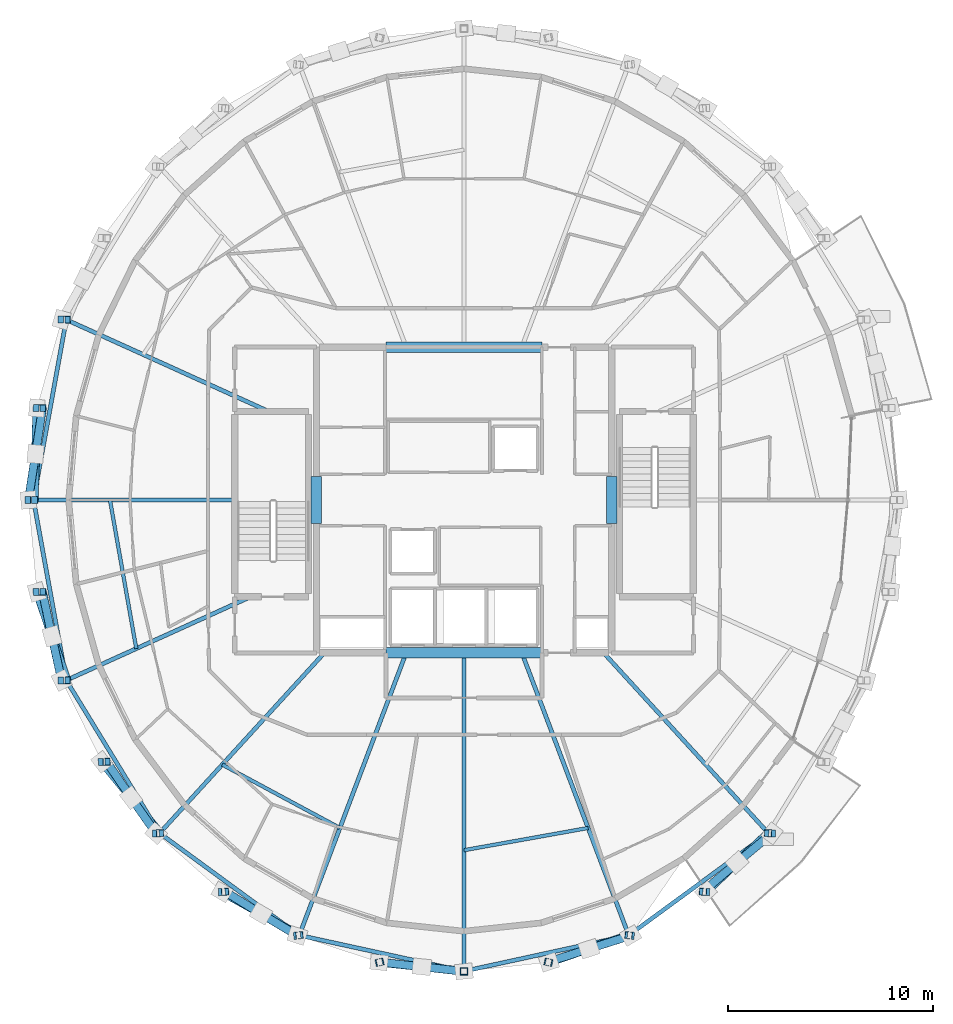
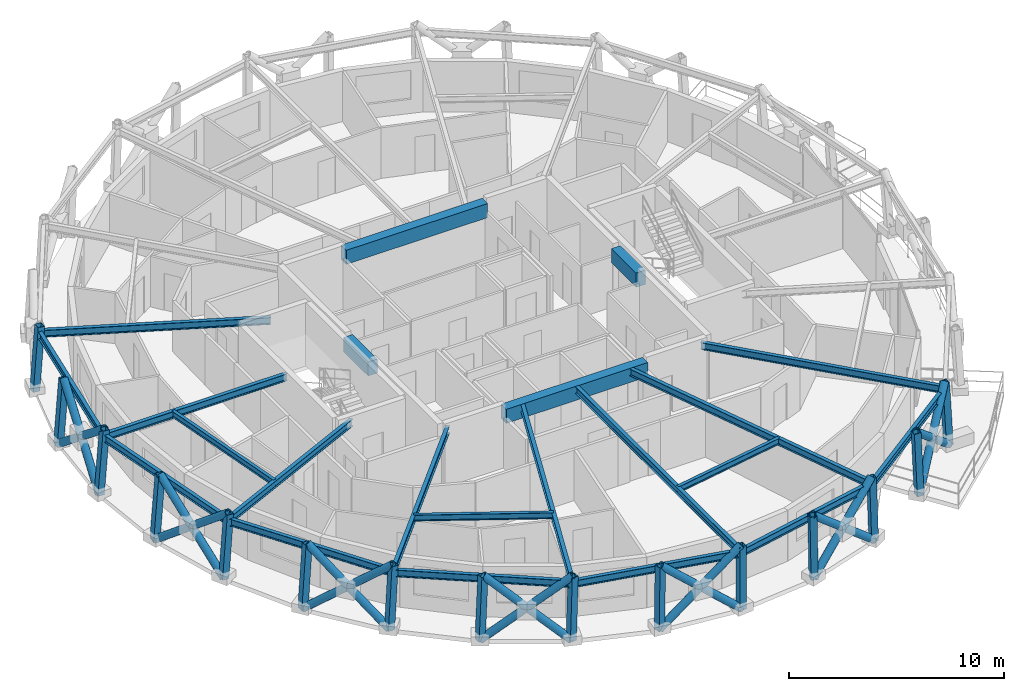
# One storey, part 1 of 12: 36 members, 22 beams.
"""IFC4 building model written with IfcOpenShell, lengths in metres."""

import ifcopenshell
import ifcopenshell.guid

model = None  # the IFC model being written
_history = None  # IfcOwnerHistory: only IFC2X3 demands one
_inside = {}  # id of a spatial element -> (the spatial element, [elements in it])
_under = {}  # id of a project, library or spatial element -> (it, [spatial elements below it])
_declared = {}  # id of a project -> (the project, [libraries it declares])
_typed = {}  # id of a type object -> (the type object, [elements of that type])
_made_of = {}  # id of a material, layer set ... -> (it, [elements and type objects made of it])


def new_model(schema):
    """Start an empty IFC model of exactly this schema.

    Asked for "IFC4X3", IfcOpenShell would pick the latest addendum, in which some entities
    have other attributes; the version numbers below select the first issue.
    IFC2X3 requires an IfcOwnerHistory on every rooted entity: one is made here for all.
    """
    global model, _history
    if schema == "IFC4X3":
        model = ifcopenshell.file(schema_version=(4, 3, 0, 0))
    else:
        model = ifcopenshell.file(schema=schema)
    _inside.clear()
    _under.clear()
    _declared.clear()
    _typed.clear()
    _made_of.clear()
    _history = None
    if model.schema == "IFC2X3":
        org = make("IfcOrganization", Name="unknown")
        user = make(
            "IfcPersonAndOrganization",
            ThePerson=make("IfcPerson", FamilyName="unknown"),
            TheOrganization=org,
        )
        app = make(
            "IfcApplication",
            ApplicationDeveloper=org,
            Version="unknown",
            ApplicationFullName="unknown",
            ApplicationIdentifier="unknown",
        )
        _history = make(
            "IfcOwnerHistory",
            OwningUser=user,
            OwningApplication=app,
            ChangeAction="ADDED",
            CreationDate=0,
        )
    return model


def make(cls, **values):
    """One entity of the class cls with the attributes given. An attribute that is None is left unset."""
    return model.create_entity(
        cls, **{name: value for name, value in values.items() if value is not None}
    )


def rooted(cls, **values):
    """An entity with a GlobalId (a new one), such as an element, a storey or a relation."""
    return make(cls, GlobalId=ifcopenshell.guid.new(), OwnerHistory=_history, **values)


def si_unit(unit_type, name, prefix=None):
    """IfcSIUnit, for example si_unit("LENGTHUNIT", "METRE", prefix="MILLI")."""
    return make("IfcSIUnit", UnitType=unit_type, Prefix=prefix, Name=name)


def assignment(units):
    """IfcUnitAssignment: the units of a project."""
    return None if units is None else make("IfcUnitAssignment", Units=units)


def point(xyz):
    """IfcCartesianPoint."""
    return None if xyz is None else make("IfcCartesianPoint", Coordinates=xyz)


def direction(xyz):
    """IfcDirection."""
    return None if xyz is None else make("IfcDirection", DirectionRatios=xyz)


def frame(location, z_axis=None, x_axis=None):
    """IfcAxis2Placement3D, a coordinate frame: its origin and axes. An axis left out is left unset."""
    return make(
        "IfcAxis2Placement3D",
        Location=point(location),
        Axis=direction(z_axis),
        RefDirection=direction(x_axis),
    )


def frame_2d(location, x_axis=None):
    """IfcAxis2Placement2D, a coordinate frame in the plane: its origin and x axis."""
    return make(
        "IfcAxis2Placement2D", Location=point(location), RefDirection=direction(x_axis)
    )


def origin():
    """The frame at (0, 0, 0) with its axes left unset."""
    return frame((0.0, 0.0, 0.0))


def origin_2d():
    """The frame at (0, 0) in the plane with its x axis left unset."""
    return frame_2d((0.0, 0.0))


def place(relative_to, where):
    """IfcLocalPlacement: puts the frame where relative to a parent placement (None: the world)."""
    return make(
        "IfcLocalPlacement", PlacementRelTo=relative_to, RelativePlacement=where
    )


def context(
    kind, dimensions, precision=None, world=None, true_north=None, identifier=None
):
    """IfcGeometricRepresentationContext, for example the 3D "Model" context."""
    return make(
        "IfcGeometricRepresentationContext",
        ContextIdentifier=identifier,
        ContextType=kind,
        CoordinateSpaceDimension=dimensions,
        Precision=precision,
        WorldCoordinateSystem=world,
        TrueNorth=true_north,
    )


def subcontext(parent, identifier, kind, view, scale=None):
    """IfcGeometricRepresentationSubContext, for example "Body" below "Model"."""
    return make(
        "IfcGeometricRepresentationSubContext",
        ContextIdentifier=identifier,
        ContextType=kind,
        ParentContext=parent,
        TargetScale=scale,
        TargetView=view,
    )


def project(units=None, contexts=None):
    """IfcProject with its units and contexts."""
    return rooted(
        "IfcProject",
        Name="project",
        RepresentationContexts=contexts,
        UnitsInContext=assignment(units),
    )


def spatial(cls, under=None, at=None, **own):
    """A site, building, storey or space (cls), placed at a placement, below another one or the project."""
    s = rooted(cls, ObjectPlacement=at, **own)
    if under is not None:
        _under.setdefault(under.id(), (under, []))[1].append(s)
    return s


def profile(cls, at=None, kind="AREA", **sizes):
    """A parametric profile (cls). Its sizes go by their IFC names, for example OverallWidth=200.0."""
    return make(cls, ProfileType=kind, Position=at, **sizes)


def rectangle(**sizes):
    """IfcRectangleProfileDef."""
    return profile("IfcRectangleProfileDef", **sizes)


def hollow_rectangle(**sizes):
    """IfcRectangleHollowProfileDef."""
    return profile("IfcRectangleHollowProfileDef", **sizes)


def hollow_circle(**sizes):
    """IfcCircleHollowProfileDef."""
    return profile("IfcCircleHollowProfileDef", **sizes)


def i_section(**sizes):
    """IfcIShapeProfileDef."""
    return profile("IfcIShapeProfileDef", **sizes)


def extrude(swept, where, along, depth):
    """IfcExtrudedAreaSolid: the profile swept, set in the frame where, extruded along a direction by depth."""
    return make(
        "IfcExtrudedAreaSolid",
        SweptArea=swept,
        Position=where,
        ExtrudedDirection=direction(along),
        Depth=depth,
    )


def shape(context_of_items, identifier, shape_type, items):
    """IfcShapeRepresentation: the items that make up one representation, for example the "Body"."""
    return make(
        "IfcShapeRepresentation",
        ContextOfItems=context_of_items,
        RepresentationIdentifier=identifier,
        RepresentationType=shape_type,
        Items=items,
    )


def material(Name=None, Category=None):
    """IfcMaterial."""
    return make("IfcMaterial", Name=Name, Category=Category)


def material_profile(
    of_material, cross_section, Name=None, Category=None, Priority=None
):
    """IfcMaterialProfile: a cross section and its material."""
    return make(
        "IfcMaterialProfile",
        Name=Name,
        Material=of_material,
        Profile=cross_section,
        Priority=Priority,
        Category=Category,
    )


def profile_set(profiles, Name=None, composite=None):
    """IfcMaterialProfileSet."""
    return make(
        "IfcMaterialProfileSet",
        Name=Name,
        MaterialProfiles=profiles,
        CompositeProfile=composite,
    )


def made_of(thing, what):
    """Note that an element or type object is made of a material, layer set ...; save() writes the relation."""
    if what is not None:
        _made_of.setdefault(what.id(), (what, []))[1].append(thing)
    return thing


def type_object(cls, material=None, **own):
    """A type object (cls), such as IfcWallType, which elements share."""
    return made_of(rooted(cls, **own), material)


def element(
    cls,
    number,
    at=None,
    inside=None,
    cuts=None,
    type_object=None,
    material=None,
    context=None,
    identifier="Body",
    shape_type=None,
    held_by="IfcProductDefinitionShape",
    body=None,
    shapes=None,
    **own,
):
    """One element of the class cls, such as IfcWall. Its Tag is "e" and its number.

    at: its placement. inside: the storey or other place that contains it. cuts: it is an
    opening in that element (IfcRelVoidsElement). A single representation is given by context,
    identifier, shape_type and body (its items); several are given by shapes. held_by: the class
    of the entity that holds the representations. save() writes the other relations.
    """
    e = rooted(cls, Tag="e%d" % number, ObjectPlacement=at, **own)
    if body is not None:
        shapes = [shape(context, identifier, shape_type, body)]
    if shapes is not None:
        e.Representation = make(held_by, Representations=shapes)
    if inside is not None:
        _inside.setdefault(inside.id(), (inside, []))[1].append(e)
    if cuts is not None:
        rooted(
            "IfcRelVoidsElement", RelatingBuildingElement=cuts, RelatedOpeningElement=e
        )
    if type_object is not None:
        _typed.setdefault(type_object.id(), (type_object, []))[1].append(e)
    return made_of(e, material)


def aggregate(whole, parts):
    """IfcRelAggregates: a whole, such as a stair, and the parts it consists of."""
    return rooted("IfcRelAggregates", RelatingObject=whole, RelatedObjects=parts)


def save(model, path):
    """Write the relations noted so far, then the file.

    IfcRelAggregates (storeys below a building ...), IfcRelContainedInSpatialStructure (elements
    in a storey), IfcRelDefinesByType, IfcRelAssociatesMaterial and IfcRelDeclares: one each for
    every whole, place, type object, material and project.
    """
    for whole, parts in _under.values():
        aggregate(whole, parts)
    for where, things in _inside.values():
        rooted(
            "IfcRelContainedInSpatialStructure",
            RelatedElements=things,
            RelatingStructure=where,
        )
    for kind, things in _typed.values():
        rooted("IfcRelDefinesByType", RelatedObjects=things, RelatingType=kind)
    for what, things in _made_of.values():
        rooted("IfcRelAssociatesMaterial", RelatedObjects=things, RelatingMaterial=what)
    for by, libraries in _declared.values():
        rooted("IfcRelDeclares", RelatingContext=by, RelatedDefinitions=libraries)
    model.write(path)


model = new_model("IFC4")

# Units and contexts
model_context = context("Model", 3, precision=1e-05, world=origin(), true_north=direction((0.0, 1.0)))
body_context = subcontext(model_context, "Body", "Model", "MODEL_VIEW")
ifc_project = project(units=[si_unit("LENGTHUNIT", "METRE"), si_unit("AREAUNIT", "SQUARE_METRE"), si_unit("VOLUMEUNIT", "CUBIC_METRE"), si_unit("PLANEANGLEUNIT", "RADIAN"), si_unit("MASSUNIT", "GRAM", prefix="KILO")], contexts=[model_context])

# Site, building, storey
site_placement = place(None, origin())
site = spatial("IfcSite", under=ifc_project, at=site_placement, CompositionType="ELEMENT")
building_placement = place(site_placement, origin())
building = spatial("IfcBuilding", under=site, at=building_placement, Name="Veldorina Hangang Commons", CompositionType="ELEMENT")
storey_placement = place(building_placement, frame((0.0, 0.0, 272.39990234375)))
storey = spatial("IfcBuildingStorey", under=building, at=storey_placement, Name="L71", CompositionType="ELEMENT", Elevation=272.39990234375)

# Beams
ifc_material_1 = material(Name="Concrete C50/60", Category="concrete")
ifc_material_profile_1 = material_profile(ifc_material_1, rectangle(XDim=0.5, YDim=0.800048828125, at=origin_2d()), Name="RC-CB-500x800")
ifc_profile_set_1 = profile_set([ifc_material_profile_1], Name="Concrete C50/60")
beam_type_1 = type_object("IfcBeamType", Name="BM-CB800", PredefinedType="LINTEL", material=ifc_profile_set_1)
for number, where, z_axis, x_axis, name in (
    (1, (24.800048828125, 22.85009765625, 2.960205078125), (0.0, 1.0, 0.0), (-1.0, 0.0, 0.0), "L71 W core coupling lintel beam"),
    (2, (39.199951171875, 22.85009765625, 2.960205078125), (0.0, 1.0, 0.0), (-1.0, 0.0, 0.0), "L71 E core coupling lintel beam"),
):
    element("IfcBeam", number, at=place(storey_placement, frame(where, z_axis=z_axis, x_axis=x_axis)), inside=storey, type_object=beam_type_1, Name=name, PredefinedType="LINTEL", context=body_context, shape_type="SweptSolid", body=[
        extrude(rectangle(XDim=0.5, YDim=0.800048828125, at=origin_2d()), origin(), (0.0, 0.0, 1.0), 2.2998046875),
    ])
for number, where, z_axis, x_axis, name in (
    (3, (28.199951171875, 16.550048828125, 2.960205078125), (1.0, 0.0, 0.0), (0.0, 1.0, 0.0), "L71 south core coupling beam"),
    (4, (28.199951171875, 31.449951171875, 2.960205078125), (1.0, 0.0, 0.0), (0.0, 1.0, 0.0), "L71 north core coupling beam"),
):
    element("IfcBeam", number, at=place(storey_placement, frame(where, z_axis=z_axis, x_axis=x_axis)), inside=storey, type_object=beam_type_1, Name=name, PredefinedType="LINTEL", context=body_context, shape_type="SweptSolid", body=[
        extrude(rectangle(XDim=0.5, YDim=0.800048828125, at=origin_2d()), origin(), (0.0, 0.0, 1.0), 7.60009765625),
    ])
ifc_material_2 = material(Name="Steel SM355-TMC", Category="steel")
ifc_material_profile_2 = material_profile(ifc_material_2, i_section(OverallWidth=0.199951171875, OverallDepth=0.39990234375, WebThickness=0.008056640625, FlangeThickness=0.012939453125, FilletRadius=0.012939453125, at=origin_2d()), Name="H-400x200x8x13")
ifc_profile_set_2 = profile_set([ifc_material_profile_2], Name="Steel SM355-TMC")
beam_type_2 = type_object("IfcBeamType", Name="BM-FG400", PredefinedType="BEAM", material=ifc_profile_set_2)
beam_1_placement = place(storey_placement, frame((22.4716796875, 28.320068359375, 3.16015625), z_axis=(-0.910762117859, 0.412931428535, 0.0), x_axis=(-0.412931428535, -0.910762117859, 0.0)))
element("IfcBeam", 5, at=beam_1_placement, inside=storey, type_object=beam_type_2, Name="L71 radial floor girder 08", PredefinedType="BEAM", context=body_context, shape_type="SweptSolid", body=[
    extrude(i_section(OverallWidth=0.199951171875, OverallDepth=0.39990234375, WebThickness=0.008056640625, FlangeThickness=0.012939453125, FilletRadius=0.012939453125, at=origin_2d()), origin(), (0.0, 0.0, 1.0), 10.82958984375),
])
beam_2_placement = place(storey_placement, frame((20.820068359375, 24.0, 3.16015625), z_axis=(-1.0, 0.0, 0.0), x_axis=(0.0, -1.0, 0.0)))
element("IfcBeam", 6, at=beam_2_placement, inside=storey, type_object=beam_type_2, Name="L71 radial floor girder 09", PredefinedType="BEAM", context=body_context, shape_type="SweptSolid", body=[
    extrude(i_section(OverallWidth=0.199951171875, OverallDepth=0.39990234375, WebThickness=0.008056640625, FlangeThickness=0.012939453125, FilletRadius=0.012939453125, at=origin_2d()), origin(), (0.0, 0.0, 1.0), 9.809326171875),
])
beam_3_placement = place(storey_placement, frame((21.589599609375, 19.280029296875, 3.16015625), z_axis=(-0.910761168096, -0.412933523328, 0.0), x_axis=(0.412933523328, -0.910761168096, 0.0)))
element("IfcBeam", 7, at=beam_3_placement, inside=storey, type_object=beam_type_2, Name="L71 radial floor girder 10", PredefinedType="BEAM", context=body_context, shape_type="SweptSolid", body=[
    extrude(i_section(OverallWidth=0.199951171875, OverallDepth=0.39990234375, WebThickness=0.008056640625, FlangeThickness=0.012939453125, FilletRadius=0.012939453125, at=origin_2d()), origin(), (0.0, 0.0, 1.0), 9.861083984375),
])
beam_4_placement = place(storey_placement, frame((25.193603515625, 16.550048828125, 3.16015625), z_axis=(-0.674499660272, -0.738275157576, 0.0), x_axis=(0.738275157576, -0.674499660272, 0.0)))
element("IfcBeam", 8, at=beam_4_placement, inside=storey, type_object=beam_type_2, Name="L71 radial floor girder 11", PredefinedType="BEAM", context=body_context, shape_type="SweptSolid", body=[
    extrude(i_section(OverallWidth=0.199951171875, OverallDepth=0.39990234375, WebThickness=0.008056640625, FlangeThickness=0.012939453125, FilletRadius=0.012939453125, at=origin_2d()), origin(), (0.0, 0.0, 1.0), 11.9130859375),
])
beam_5_placement = place(storey_placement, frame((29.1806640625, 16.550048828125, 3.16015625), z_axis=(-0.353926583322, -0.935273208008, 0.0), x_axis=(0.935273208008, -0.353926583322, 0.0)))
element("IfcBeam", 9, at=beam_5_placement, inside=storey, type_object=beam_type_2, Name="L71 radial floor girder 12", PredefinedType="BEAM", context=body_context, shape_type="SweptSolid", body=[
    extrude(i_section(OverallWidth=0.199951171875, OverallDepth=0.39990234375, WebThickness=0.008056640625, FlangeThickness=0.012939453125, FilletRadius=0.012939453125, at=origin_2d()), origin(), (0.0, 0.0, 1.0), 14.728759765625),
])
beam_6_placement = place(storey_placement, frame((32.0, 16.550048828125, 3.16015625), z_axis=(0.0, -1.0, 0.0), x_axis=(1.0, 0.0, 0.0)))
element("IfcBeam", 10, at=beam_6_placement, inside=storey, type_object=beam_type_2, Name="L71 radial floor girder 13", PredefinedType="BEAM", context=body_context, shape_type="SweptSolid", body=[
    extrude(i_section(OverallWidth=0.199951171875, OverallDepth=0.39990234375, WebThickness=0.008056640625, FlangeThickness=0.012939453125, FilletRadius=0.012939453125, at=origin_2d()), origin(), (0.0, 0.0, 1.0), 15.524169921875),
])
beam_7_placement = place(storey_placement, frame((34.8193359375, 16.550048828125, 3.16015625), z_axis=(0.353926583322, -0.935273208008, 0.0), x_axis=(0.935273208008, 0.353926583322, 0.0)))
element("IfcBeam", 11, at=beam_7_placement, inside=storey, type_object=beam_type_2, Name="L71 radial floor girder 14", PredefinedType="BEAM", context=body_context, shape_type="SweptSolid", body=[
    extrude(i_section(OverallWidth=0.199951171875, OverallDepth=0.39990234375, WebThickness=0.008056640625, FlangeThickness=0.012939453125, FilletRadius=0.012939453125, at=origin_2d()), origin(), (0.0, 0.0, 1.0), 14.728759765625),
])
beam_8_placement = place(storey_placement, frame((38.806396484375, 16.550048828125, 3.16015625), z_axis=(0.674499660272, -0.738275157576, 0.0), x_axis=(0.738275157576, 0.674499660272, 0.0)))
element("IfcBeam", 12, at=beam_8_placement, inside=storey, type_object=beam_type_2, Name="L71 radial floor girder 15", PredefinedType="BEAM", context=body_context, shape_type="SweptSolid", body=[
    extrude(i_section(OverallWidth=0.199951171875, OverallDepth=0.39990234375, WebThickness=0.008056640625, FlangeThickness=0.012939453125, FilletRadius=0.012939453125, at=origin_2d()), origin(), (0.0, 0.0, 1.0), 11.9130859375),
])
ifc_material_profile_3 = material_profile(ifc_material_2, i_section(OverallWidth=0.175048828125, OverallDepth=0.35009765625, WebThickness=0.007080078125, FlangeThickness=0.010986328125, FilletRadius=0.012939453125, at=origin_2d()), Name="H-350x175x7x11")
ifc_profile_set_3 = profile_set([ifc_material_profile_3], Name="Steel SM355-TMC")
beam_type_3 = type_object("IfcBeamType", Name="BM-JST350", PredefinedType="JOIST", material=ifc_profile_set_3)
beam_9_placement = place(storey_placement, frame((14.73828125, 24.0, 3.18505859375), z_axis=(0.174377812201, -0.984678820028, 0.0), x_axis=(0.984678820028, 0.174377812201, 0.0)))
element("IfcBeam", 13, at=beam_9_placement, inside=storey, type_object=beam_type_3, Name="L71 secondary floor joist 09", PredefinedType="JOIST", context=body_context, shape_type="SweptSolid", body=[
    extrude(i_section(OverallWidth=0.175048828125, OverallDepth=0.35009765625, WebThickness=0.007080078125, FlangeThickness=0.010986328125, FilletRadius=0.012939453125, at=origin_2d()), origin(), (0.0, 0.0, 1.0), 7.357421875),
])
beam_10_placement = place(storey_placement, frame((20.211669921875, 11.096923828125, 3.18505859375), z_axis=(0.88056133071, -0.473932213358, 0.0), x_axis=(0.473932213358, 0.88056133071, 0.0)))
element("IfcBeam", 14, at=beam_10_placement, inside=storey, type_object=beam_type_3, Name="L71 secondary floor joist 11", PredefinedType="JOIST", context=body_context, shape_type="SweptSolid", body=[
    extrude(i_section(OverallWidth=0.175048828125, OverallDepth=0.35009765625, WebThickness=0.007080078125, FlangeThickness=0.010986328125, FilletRadius=0.012939453125, at=origin_2d()), origin(), (0.0, 0.0, 1.0), 6.514892578125),
])
beam_11_placement = place(storey_placement, frame((32.0, 6.925048828125, 3.18505859375), z_axis=(0.984326047197, 0.176358251325, 0.0), x_axis=(-0.176358251325, 0.984326047197, 0.0)))
element("IfcBeam", 15, at=beam_11_placement, inside=storey, type_object=beam_type_3, Name="L71 secondary floor joist 13", PredefinedType="JOIST", context=body_context, shape_type="SweptSolid", body=[
    extrude(i_section(OverallWidth=0.175048828125, OverallDepth=0.35009765625, WebThickness=0.007080078125, FlangeThickness=0.010986328125, FilletRadius=0.012939453125, at=origin_2d()), origin(), (0.0, 0.0, 1.0), 6.14794921875),
])
ifc_material_profile_4 = material_profile(ifc_material_2, i_section(OverallWidth=0.199951171875, OverallDepth=0.39990234375, WebThickness=0.008056640625, FlangeThickness=0.012939453125, FilletRadius=0.012939453125, at=origin_2d()), Name="H-400x200x8x13")
ifc_profile_set_4 = profile_set([ifc_material_profile_4], Name="Steel SM355-TMC")
beam_type_4 = type_object("IfcBeamType", Name="BM-RB400", PredefinedType="BEAM", material=ifc_profile_set_4)
for number, where, z_axis, x_axis, name in (
    (16, (12.6083984375, 32.7919921875, 3.16015625), (-0.178789267079, -0.983887390903, 0.0), (0.983887390903, -0.178789267079, 0.0), "L71 perimeter hoop ring beam 14"),
    (17, (11.0107421875, 24.0, 3.16015625), (0.178789267079, -0.983887390903, 0.0), (0.983887390903, 0.178789267079, 0.0), "L71 perimeter hoop ring beam 16"),
):
    element("IfcBeam", number, at=place(storey_placement, frame(where, z_axis=z_axis, x_axis=x_axis)), inside=storey, type_object=beam_type_4, Name=name, PredefinedType="BEAM", context=body_context, shape_type="SweptSolid", body=[
        extrude(i_section(OverallWidth=0.199951171875, OverallDepth=0.39990234375, WebThickness=0.008056640625, FlangeThickness=0.012939453125, FilletRadius=0.012939453125, at=origin_2d()), origin(), (0.0, 0.0, 1.0), 8.93603515625),
    ])
beam_12_placement = place(storey_placement, frame((12.6083984375, 15.2080078125, 3.16015625), z_axis=(0.521042817658, -0.85353053968, 0.0), x_axis=(0.85353053968, 0.521042817658, 0.0)))
element("IfcBeam", 18, at=beam_12_placement, inside=storey, type_object=beam_type_4, Name="L71 perimeter hoop ring beam 18", PredefinedType="BEAM", context=body_context, shape_type="SweptSolid", body=[
    extrude(i_section(OverallWidth=0.199951171875, OverallDepth=0.39990234375, WebThickness=0.008056640625, FlangeThickness=0.012939453125, FilletRadius=0.012939453125, at=origin_2d()), origin(), (0.0, 0.0, 1.0), 8.732177734375),
])
beam_13_placement = place(storey_placement, frame((17.158203125, 7.7548828125, 3.16015625), z_axis=(0.80716518859, -0.590325637532, 0.0), x_axis=(0.590325637532, 0.80716518859, 0.0)))
element("IfcBeam", 19, at=beam_13_placement, inside=storey, type_object=beam_type_4, Name="L71 perimeter hoop ring beam 20", PredefinedType="BEAM", context=body_context, shape_type="SweptSolid", body=[
    extrude(i_section(OverallWidth=0.199951171875, OverallDepth=0.39990234375, WebThickness=0.008056640625, FlangeThickness=0.012939453125, FilletRadius=0.012939453125, at=origin_2d()), origin(), (0.0, 0.0, 1.0), 8.4365234375),
])
for number, where, z_axis, x_axis, name in (
    (20, (23.9677734375, 2.774658203125, 3.16015625), (0.977109572502, -0.212736652518, 0.0), (0.212736652518, 0.977109572502, 0.0), "L71 perimeter hoop ring beam 22"),
    (21, (32.0, 1.02587890625, 3.16015625), (0.977109572502, 0.212736652518, 0.0), (-0.212736652518, 0.977109572502, 0.0), "L71 perimeter hoop ring beam 24"),
):
    element("IfcBeam", number, at=place(storey_placement, frame(where, z_axis=z_axis, x_axis=x_axis)), inside=storey, type_object=beam_type_4, Name=name, PredefinedType="BEAM", context=body_context, shape_type="SweptSolid", body=[
        extrude(i_section(OverallWidth=0.199951171875, OverallDepth=0.39990234375, WebThickness=0.008056640625, FlangeThickness=0.012939453125, FilletRadius=0.012939453125, at=origin_2d()), origin(), (0.0, 0.0, 1.0), 8.220458984375),
    ])
beam_14_placement = place(storey_placement, frame((40.0322265625, 2.774658203125, 3.16015625), z_axis=(0.80716518859, 0.590325637532, 0.0), x_axis=(-0.590325637532, 0.80716518859, 0.0)))
element("IfcBeam", 22, at=beam_14_placement, inside=storey, type_object=beam_type_4, Name="L71 perimeter hoop ring beam 26", PredefinedType="BEAM", context=body_context, shape_type="SweptSolid", body=[
    extrude(i_section(OverallWidth=0.199951171875, OverallDepth=0.39990234375, WebThickness=0.008056640625, FlangeThickness=0.012939453125, FilletRadius=0.012939453125, at=origin_2d()), origin(), (0.0, 0.0, 1.0), 8.4365234375),
])

# Members
ifc_material_profile_5 = material_profile(ifc_material_2, hollow_circle(Radius=0.199951171875, WallThickness=0.02001953125, at=origin_2d()), Name="CHS-400x20")
ifc_profile_set_5 = profile_set([ifc_material_profile_5], Name="Steel SM355-TMC")
member_type_1 = type_object("IfcMemberType", Name="DG-CHS400", PredefinedType="BRACE", material=ifc_profile_set_5)
member_1_placement = place(storey_placement, frame((11.171630859375, 28.484130859375, 0.0), z_axis=(-0.021986696338, -0.779593922081, 0.625899274515), x_axis=(0.999602539395, -0.028191545457, 0.0)))
element("IfcMember", 23, at=member_1_placement, inside=storey, type_object=member_type_1, Name="L71 continuous perimeter diagrid brace 15", PredefinedType="BRACE", context=body_context, shape_type="SweptSolid", body=[
    extrude(hollow_circle(Radius=0.199951171875, WallThickness=0.02001953125, at=origin_2d()), origin(), (0.0, 0.0, 1.0), 5.751953125),
])
member_2_placement = place(storey_placement, frame((10.763671875, 24.0, 0.0), z_axis=(0.119042836244, 0.774031359458, 0.621855495846), x_axis=(-0.988379163847, 0.152008646046, 0.0)))
element("IfcMember", 24, at=member_2_placement, inside=storey, type_object=member_type_1, Name="L71 split perimeter diagrid lower brace 16", PredefinedType="BRACE", context=body_context, shape_type="SweptSolid", body=[
    extrude(hollow_circle(Radius=0.199951171875, WallThickness=0.02001953125, at=origin_2d()), origin(), (0.0, 0.0, 1.0), 2.895751953125),
])
member_3_placement = place(storey_placement, frame((11.1083984375, 26.241455078125, 1.80078125), z_axis=(0.117288939032, 0.774275758676, 0.621884518466), x_axis=(-0.988720339916, 0.149773460384, 0.0)))
element("IfcMember", 25, at=member_3_placement, inside=storey, type_object=member_type_1, Name="L71 split perimeter diagrid upper brace 16", PredefinedType="BRACE", context=body_context, shape_type="SweptSolid", body=[
    extrude(hollow_circle(Radius=0.199951171875, WallThickness=0.02001953125, at=origin_2d()), origin(), (0.0, 0.0, 1.0), 2.893310546875),
])
member_4_placement = place(storey_placement, frame((11.171630859375, 19.515869140625, 0.0), z_axis=(0.25308321058, -0.742293267009, 0.620443062879), x_axis=(0.946499015633, 0.322706698732, 0.0)))
element("IfcMember", 26, at=member_4_placement, inside=storey, type_object=member_type_1, Name="L71 continuous perimeter diagrid brace 17", PredefinedType="BRACE", context=body_context, shape_type="SweptSolid", body=[
    extrude(hollow_circle(Radius=0.199951171875, WallThickness=0.02001953125, at=origin_2d()), origin(), (0.0, 0.0, 1.0), 5.802490234375),
])
member_5_placement = place(storey_placement, frame((12.380126953125, 15.2041015625, 0.0), z_axis=(-0.166210009638, 0.75676959543, 0.632197763464), x_axis=(-0.976720050294, -0.214517932477, 0.0)))
element("IfcMember", 27, at=member_5_placement, inside=storey, type_object=member_type_1, Name="L71 split perimeter diagrid lower brace 18", PredefinedType="BRACE", context=body_context, shape_type="SweptSolid", body=[
    extrude(hollow_circle(Radius=0.199951171875, WallThickness=0.02001953125, at=origin_2d()), origin(), (0.0, 0.0, 1.0), 2.849609375),
])
member_6_placement = place(storey_placement, frame((11.906494140625, 17.360595703125, 1.801513671875), z_axis=(-0.161174140778, 0.758093164554, 0.631915856899), x_axis=(-0.978138031532, -0.207956705278, 0.0)))
element("IfcMember", 28, at=member_6_placement, inside=storey, type_object=member_type_1, Name="L71 split perimeter diagrid upper brace 18", PredefinedType="BRACE", context=body_context, shape_type="SweptSolid", body=[
    extrude(hollow_circle(Radius=0.199951171875, WallThickness=0.02001953125, at=origin_2d()), origin(), (0.0, 0.0, 1.0), 2.84619140625),
])
member_7_placement = place(storey_placement, frame((14.3427734375, 11.230224609375, 0.0), z_axis=(0.493631154862, -0.603925805093, 0.6257810359), x_axis=(0.774265064791, 0.632861445693, 0.0)))
element("IfcMember", 29, at=member_7_placement, inside=storey, type_object=member_type_1, Name="L71 continuous perimeter diagrid brace 19", PredefinedType="BRACE", context=body_context, shape_type="SweptSolid", body=[
    extrude(hollow_circle(Radius=0.199951171875, WallThickness=0.02001953125, at=origin_2d()), origin(), (0.0, 0.0, 1.0), 5.7529296875),
])
member_8_placement = place(storey_placement, frame((16.983642578125, 7.747314453125, 0.0), z_axis=(-0.436684689291, 0.624636021666, 0.647407385327), x_axis=(-0.819577289541, -0.57296864353, 0.0)))
element("IfcMember", 30, at=member_8_placement, inside=storey, type_object=member_type_1, Name="L71 split perimeter diagrid lower brace 20", PredefinedType="BRACE", context=body_context, shape_type="SweptSolid", body=[
    extrude(hollow_circle(Radius=0.199951171875, WallThickness=0.02001953125, at=origin_2d()), origin(), (0.0, 0.0, 1.0), 2.78759765625),
])
member_9_placement = place(storey_placement, frame((15.766357421875, 9.488525390625, 1.8046875), z_axis=(-0.42884150575, 0.630281728746, 0.647178418487), x_axis=(-0.826774026541, -0.562534184772, 0.0)))
element("IfcMember", 31, at=member_9_placement, inside=storey, type_object=member_type_1, Name="L71 split perimeter diagrid upper brace 20", PredefinedType="BRACE", context=body_context, shape_type="SweptSolid", body=[
    extrude(hollow_circle(Radius=0.199951171875, WallThickness=0.02001953125, at=origin_2d()), origin(), (0.0, 0.0, 1.0), 2.774169921875),
])
member_10_placement = place(storey_placement, frame((20.20166015625, 4.888916015625, 0.0), z_axis=(0.671153246234, -0.375247502982, 0.639329830037), x_axis=(0.488010906317, 0.872837530882, 0.0)))
element("IfcMember", 32, at=member_10_placement, inside=storey, type_object=member_type_1, Name="L71 continuous perimeter diagrid brace 21", PredefinedType="BRACE", context=body_context, shape_type="SweptSolid", body=[
    extrude(hollow_circle(Radius=0.199951171875, WallThickness=0.02001953125, at=origin_2d()), origin(), (0.0, 0.0, 1.0), 5.631103515625),
])
member_11_placement = place(storey_placement, frame((23.873291015625, 2.764892578125, 0.0), z_axis=(-0.645373106115, 0.386779391833, 0.6587072612), x_axis=(-0.5140613223, -0.857753435968, 0.0)))
element("IfcMember", 33, at=member_11_placement, inside=storey, type_object=member_type_1, Name="L71 split perimeter diagrid lower brace 22", PredefinedType="BRACE", context=body_context, shape_type="SweptSolid", body=[
    extrude(hollow_circle(Radius=0.199951171875, WallThickness=0.02001953125, at=origin_2d()), origin(), (0.0, 0.0, 1.0), 2.746337890625),
])
member_12_placement = place(storey_placement, frame((22.100830078125, 3.8271484375, 1.80908203125), z_axis=(-0.640907855678, 0.394170003702, 0.658685910515), x_axis=(-0.523871033323, -0.85179759359, 0.0)))
element("IfcMember", 34, at=member_12_placement, inside=storey, type_object=member_type_1, Name="L71 split perimeter diagrid upper brace 22", PredefinedType="BRACE", context=body_context, shape_type="SweptSolid", body=[
    extrude(hollow_circle(Radius=0.199951171875, WallThickness=0.02001953125, at=origin_2d()), origin(), (0.0, 0.0, 1.0), 2.718994140625),
])
member_13_placement = place(storey_placement, frame((27.85693359375, 1.456787109375, 0.0), z_axis=(0.752537312236, -0.07800313095, 0.653913683337), x_axis=(0.103101124146, 0.994670879336, 0.0)))
element("IfcMember", 35, at=member_13_placement, inside=storey, type_object=member_type_1, Name="L71 continuous perimeter diagrid brace 23", PredefinedType="BRACE", context=body_context, shape_type="SweptSolid", body=[
    extrude(hollow_circle(Radius=0.199951171875, WallThickness=0.02001953125, at=origin_2d()), origin(), (0.0, 0.0, 1.0), 5.50537109375),
])
member_14_placement = place(storey_placement, frame((32.0, 1.01513671875, 0.0), z_axis=(-0.747993871901, 0.081907503116, 0.658632164818), x_axis=(-0.10885223396, -0.994057941552, 0.0)))
element("IfcMember", 36, at=member_14_placement, inside=storey, type_object=member_type_1, Name="L71 split perimeter diagrid lower brace 24", PredefinedType="BRACE", context=body_context, shape_type="SweptSolid", body=[
    extrude(hollow_circle(Radius=0.199951171875, WallThickness=0.02001953125, at=origin_2d()), origin(), (0.0, 0.0, 1.0), 2.751220703125),
])
member_15_placement = place(storey_placement, frame((29.942138671875, 1.240478515625, 1.81201171875), z_axis=(-0.747791362292, 0.084077071157, 0.658588737064), x_axis=(-0.111729870792, -0.993738615519, 0.0)))
element("IfcMember", 37, at=member_15_placement, inside=storey, type_object=member_type_1, Name="L71 split perimeter diagrid upper brace 24", PredefinedType="BRACE", context=body_context, shape_type="SweptSolid", body=[
    extrude(hollow_circle(Radius=0.199951171875, WallThickness=0.02001953125, at=origin_2d()), origin(), (0.0, 0.0, 1.0), 2.715087890625),
])
member_16_placement = place(storey_placement, frame((36.14306640625, 1.456787109375, 0.0), z_axis=(0.710932293269, 0.241948046141, 0.660330536441), x_axis=(-0.322178525013, 0.9466789308, 0.0)))
element("IfcMember", 38, at=member_16_placement, inside=storey, type_object=member_type_1, Name="L71 continuous perimeter diagrid brace 25", PredefinedType="BRACE", context=body_context, shape_type="SweptSolid", body=[
    extrude(hollow_circle(Radius=0.199951171875, WallThickness=0.02001953125, at=origin_2d()), origin(), (0.0, 0.0, 1.0), 5.451904296875),
])
member_17_placement = place(storey_placement, frame((40.126708984375, 2.764892578125, 0.0), z_axis=(-0.7267689036, -0.230304874025, 0.647121801333), x_axis=(0.302084093341, -0.953281280919, 0.0)))
element("IfcMember", 39, at=member_17_placement, inside=storey, type_object=member_type_1, Name="L71 split perimeter diagrid lower brace 26", PredefinedType="BRACE", context=body_context, shape_type="SweptSolid", body=[
    extrude(hollow_circle(Radius=0.199951171875, WallThickness=0.02001953125, at=origin_2d()), origin(), (0.0, 0.0, 1.0), 2.798583984375),
])
member_18_placement = place(storey_placement, frame((38.0927734375, 2.120361328125, 1.81103515625), z_axis=(-0.72506691725, -0.23568427745, 0.647094187018), x_axis=(0.309130593981, -0.951019598045, 0.0)))
element("IfcMember", 40, at=member_18_placement, inside=storey, type_object=member_type_1, Name="L71 split perimeter diagrid upper brace 26", PredefinedType="BRACE", context=body_context, shape_type="SweptSolid", body=[
    extrude(hollow_circle(Radius=0.199951171875, WallThickness=0.02001953125, at=origin_2d()), origin(), (0.0, 0.0, 1.0), 2.7646484375),
])
member_19_placement = place(storey_placement, frame((43.79833984375, 4.888916015625, 0.0), z_axis=(0.548511899307, 0.520877829012, 0.654080257738), x_axis=(-0.688604582975, 0.725137041052, 0.0)))
element("IfcMember", 41, at=member_19_placement, inside=storey, type_object=member_type_1, Name="L71 continuous perimeter diagrid brace 27", PredefinedType="BRACE", context=body_context, shape_type="SweptSolid", body=[
    extrude(hollow_circle(Radius=0.199951171875, WallThickness=0.02001953125, at=origin_2d()), origin(), (0.0, 0.0, 1.0), 5.504150390625),
])
member_20_placement = place(storey_placement, frame((47.016357421875, 7.747314453125, 0.0), z_axis=(-0.595364061071, -0.496335912111, 0.631816664179), x_axis=(0.640336051144, -0.768094877997, 0.0)))
element("IfcMember", 42, at=member_20_placement, inside=storey, type_object=member_type_1, Name="L71 split perimeter diagrid lower brace 28", PredefinedType="BRACE", context=body_context, shape_type="SweptSolid", body=[
    extrude(hollow_circle(Radius=0.199951171875, WallThickness=0.02001953125, at=origin_2d()), origin(), (0.0, 0.0, 1.0), 2.85986328125),
])
member_21_placement = place(storey_placement, frame((45.313720703125, 6.327880859375, 1.806884765625), z_axis=(-0.589160040938, -0.503556325878, 0.631918881526), x_axis=(0.649721147264, -0.760172632234, 0.0)))
element("IfcMember", 43, at=member_21_placement, inside=storey, type_object=member_type_1, Name="L71 split perimeter diagrid upper brace 28", PredefinedType="BRACE", context=body_context, shape_type="SweptSolid", body=[
    extrude(hollow_circle(Radius=0.199951171875, WallThickness=0.02001953125, at=origin_2d()), origin(), (0.0, 0.0, 1.0), 2.837646484375),
])
ifc_material_profile_6 = material_profile(ifc_material_2, hollow_rectangle(XDim=0.35009765625, YDim=0.35009765625, WallThickness=0.01611328125, at=origin_2d()), Name="SHS-350x350x16")
ifc_profile_set_6 = profile_set([ifc_material_profile_6], Name="Steel SM355-TMC")
member_type_2 = type_object("IfcMemberType", Name="STR-SHS350", PredefinedType="STRUT", material=ifc_profile_set_6)
member_22_placement = place(storey_placement, frame((12.380126953125, 32.7958984375, 0.0), z_axis=(0.072035286713, -0.00128513657, 0.997401256211), x_axis=(0.017837537156, 0.999840898477, 0.0)))
element("IfcMember", 44, at=member_22_placement, inside=storey, type_object=member_type_2, Name="L71 perimeter ring node post 14", PredefinedType="STRUT", context=body_context, shape_type="SweptSolid", body=[
    extrude(hollow_rectangle(XDim=0.35009765625, YDim=0.35009765625, WallThickness=0.01611328125, at=origin_2d()), origin(), (0.0, 0.0, 1.0), 3.609375),
])
member_23_placement = place(storey_placement, frame((11.171630859375, 28.484130859375, 0.0), z_axis=(0.076474140834, -0.000676163933, 0.997071335756), x_axis=(0.008841387393, 0.999960914171, 0.0)))
element("IfcMember", 45, at=member_23_placement, inside=storey, type_object=member_type_2, Name="L71 perimeter ring node post 15", PredefinedType="STRUT", context=body_context, shape_type="SweptSolid", body=[
    extrude(hollow_rectangle(XDim=0.35009765625, YDim=0.35009765625, WallThickness=0.01611328125, at=origin_2d()), origin(), (0.0, 0.0, 1.0), 3.610595703125),
])
member_24_placement = place(storey_placement, frame((10.763671875, 24.0, 0.0), z_axis=(0.07795276567, 0.0, 0.9969570534), x_axis=(0.0, 1.0, 0.0)))
element("IfcMember", 46, at=member_24_placement, inside=storey, type_object=member_type_2, Name="L71 perimeter ring node post 16", PredefinedType="STRUT", context=body_context, shape_type="SweptSolid", body=[
    extrude(hollow_rectangle(XDim=0.35009765625, YDim=0.35009765625, WallThickness=0.01611328125, at=origin_2d()), origin(), (0.0, 0.0, 1.0), 3.611083984375),
])
member_25_placement = place(storey_placement, frame((11.171630859375, 19.515869140625, 0.0), z_axis=(0.076474140834, 0.000676163933, 0.997071335756), x_axis=(-0.008841387393, 0.999960914171, 0.0)))
element("IfcMember", 47, at=member_25_placement, inside=storey, type_object=member_type_2, Name="L71 perimeter ring node post 17", PredefinedType="STRUT", context=body_context, shape_type="SweptSolid", body=[
    extrude(hollow_rectangle(XDim=0.35009765625, YDim=0.35009765625, WallThickness=0.01611328125, at=origin_2d()), origin(), (0.0, 0.0, 1.0), 3.610595703125),
])
member_26_placement = place(storey_placement, frame((12.380126953125, 15.2041015625, 0.0), z_axis=(0.072035286713, 0.00128513657, 0.997401256211), x_axis=(-0.017837537156, 0.999840898477, 0.0)))
element("IfcMember", 48, at=member_26_placement, inside=storey, type_object=member_type_2, Name="L71 perimeter ring node post 18", PredefinedType="STRUT", context=body_context, shape_type="SweptSolid", body=[
    extrude(hollow_rectangle(XDim=0.35009765625, YDim=0.35009765625, WallThickness=0.01611328125, at=origin_2d()), origin(), (0.0, 0.0, 1.0), 3.609375),
])
member_27_placement = place(storey_placement, frame((14.3427734375, 11.230224609375, 0.0), z_axis=(0.064829984729, 0.001894822101, 0.997894524852), x_axis=(-0.029215081582, 0.999573148403, 0.0)))
element("IfcMember", 49, at=member_27_placement, inside=storey, type_object=member_type_2, Name="L71 perimeter ring node post 19", PredefinedType="STRUT", context=body_context, shape_type="SweptSolid", body=[
    extrude(hollow_rectangle(XDim=0.35009765625, YDim=0.35009765625, WallThickness=0.01611328125, at=origin_2d()), origin(), (0.0, 0.0, 1.0), 3.607666015625),
])
member_28_placement = place(storey_placement, frame((16.983642578125, 7.747314453125, 0.0), z_axis=(0.055184848386, 0.002369901464, 0.998473342697), x_axis=(-0.042905239409, 0.99907914623, 0.0)))
element("IfcMember", 50, at=member_28_placement, inside=storey, type_object=member_type_2, Name="L71 perimeter ring node post 20", PredefinedType="STRUT", context=body_context, shape_type="SweptSolid", body=[
    extrude(hollow_rectangle(XDim=0.35009765625, YDim=0.35009765625, WallThickness=0.01611328125, at=origin_2d()), origin(), (0.0, 0.0, 1.0), 3.605712890625),
])
member_29_placement = place(storey_placement, frame((20.20166015625, 4.888916015625, 0.0), z_axis=(0.04342823631, 0.002777781106, 0.999052687411), x_axis=(-0.063832116521, 0.997960650978, 0.0)))
element("IfcMember", 51, at=member_29_placement, inside=storey, type_object=member_type_2, Name="L71 perimeter ring node post 21", PredefinedType="STRUT", context=body_context, shape_type="SweptSolid", body=[
    extrude(hollow_rectangle(XDim=0.35009765625, YDim=0.35009765625, WallThickness=0.01611328125, at=origin_2d()), origin(), (0.0, 0.0, 1.0), 3.603515625),
])
member_30_placement = place(storey_placement, frame((23.873291015625, 2.764892578125, 0.0), z_axis=(0.029892911142, 0.003050297055, 0.999548452828), x_axis=(-0.101513688013, 0.994834142531, 0.0)))
element("IfcMember", 52, at=member_30_placement, inside=storey, type_object=member_type_2, Name="L71 perimeter ring node post 22", PredefinedType="STRUT", context=body_context, shape_type="SweptSolid", body=[
    extrude(hollow_rectangle(XDim=0.35009765625, YDim=0.35009765625, WallThickness=0.01611328125, at=origin_2d()), origin(), (0.0, 0.0, 1.0), 3.601806640625),
])
member_31_placement = place(storey_placement, frame((27.85693359375, 1.456787109375, 0.0), z_axis=(0.01525651504, 0.003322529942, 0.999878092341), x_axis=(-0.212790211528, 0.977097910078, 0.0)))
element("IfcMember", 53, at=member_31_placement, inside=storey, type_object=member_type_2, Name="L71 perimeter ring node post 23", PredefinedType="STRUT", context=body_context, shape_type="SweptSolid", body=[
    extrude(hollow_rectangle(XDim=0.35009765625, YDim=0.35009765625, WallThickness=0.01611328125, at=origin_2d()), origin(), (0.0, 0.0, 1.0), 3.6005859375),
])
member_32_placement = place(storey_placement, frame((32.0, 1.01513671875, 0.0), z_axis=(0.0, 0.003390730542, 0.999994251457), x_axis=(-1.0, 0.0, 0.0)))
element("IfcMember", 54, at=member_32_placement, inside=storey, type_object=member_type_2, Name="L71 perimeter ring node post 24", PredefinedType="STRUT", context=body_context, shape_type="SweptSolid", body=[
    extrude(hollow_rectangle(XDim=0.35009765625, YDim=0.35009765625, WallThickness=0.01611328125, at=origin_2d()), origin(), (0.0, 0.0, 1.0), 3.60009765625),
])
member_33_placement = place(storey_placement, frame((36.14306640625, 1.456787109375, 0.0), z_axis=(-0.01525651504, 0.003322529942, 0.999878092341), x_axis=(-0.212790211528, -0.977097910078, 0.0)))
element("IfcMember", 55, at=member_33_placement, inside=storey, type_object=member_type_2, Name="L71 perimeter ring node post 25", PredefinedType="STRUT", context=body_context, shape_type="SweptSolid", body=[
    extrude(hollow_rectangle(XDim=0.35009765625, YDim=0.35009765625, WallThickness=0.01611328125, at=origin_2d()), origin(), (0.0, 0.0, 1.0), 3.6005859375),
])
member_34_placement = place(storey_placement, frame((40.126708984375, 2.764892578125, 0.0), z_axis=(-0.029892911142, 0.003050297055, 0.999548452828), x_axis=(-0.101513688013, -0.994834142531, 0.0)))
element("IfcMember", 56, at=member_34_placement, inside=storey, type_object=member_type_2, Name="L71 perimeter ring node post 26", PredefinedType="STRUT", context=body_context, shape_type="SweptSolid", body=[
    extrude(hollow_rectangle(XDim=0.35009765625, YDim=0.35009765625, WallThickness=0.01611328125, at=origin_2d()), origin(), (0.0, 0.0, 1.0), 3.601806640625),
])
member_35_placement = place(storey_placement, frame((43.79833984375, 4.888916015625, 0.0), z_axis=(-0.04342823631, 0.002777781106, 0.999052687411), x_axis=(-0.063832116521, -0.997960650978, 0.0)))
element("IfcMember", 57, at=member_35_placement, inside=storey, type_object=member_type_2, Name="L71 perimeter ring node post 27", PredefinedType="STRUT", context=body_context, shape_type="SweptSolid", body=[
    extrude(hollow_rectangle(XDim=0.35009765625, YDim=0.35009765625, WallThickness=0.01611328125, at=origin_2d()), origin(), (0.0, 0.0, 1.0), 3.603515625),
])
member_36_placement = place(storey_placement, frame((47.016357421875, 7.747314453125, 0.0), z_axis=(-0.055184848386, 0.002369901464, 0.998473342697), x_axis=(-0.042905239409, -0.99907914623, 0.0)))
element("IfcMember", 58, at=member_36_placement, inside=storey, type_object=member_type_2, Name="L71 perimeter ring node post 28", PredefinedType="STRUT", context=body_context, shape_type="SweptSolid", body=[
    extrude(hollow_rectangle(XDim=0.35009765625, YDim=0.35009765625, WallThickness=0.01611328125, at=origin_2d()), origin(), (0.0, 0.0, 1.0), 3.605712890625),
])

save(model, "model.ifc")
